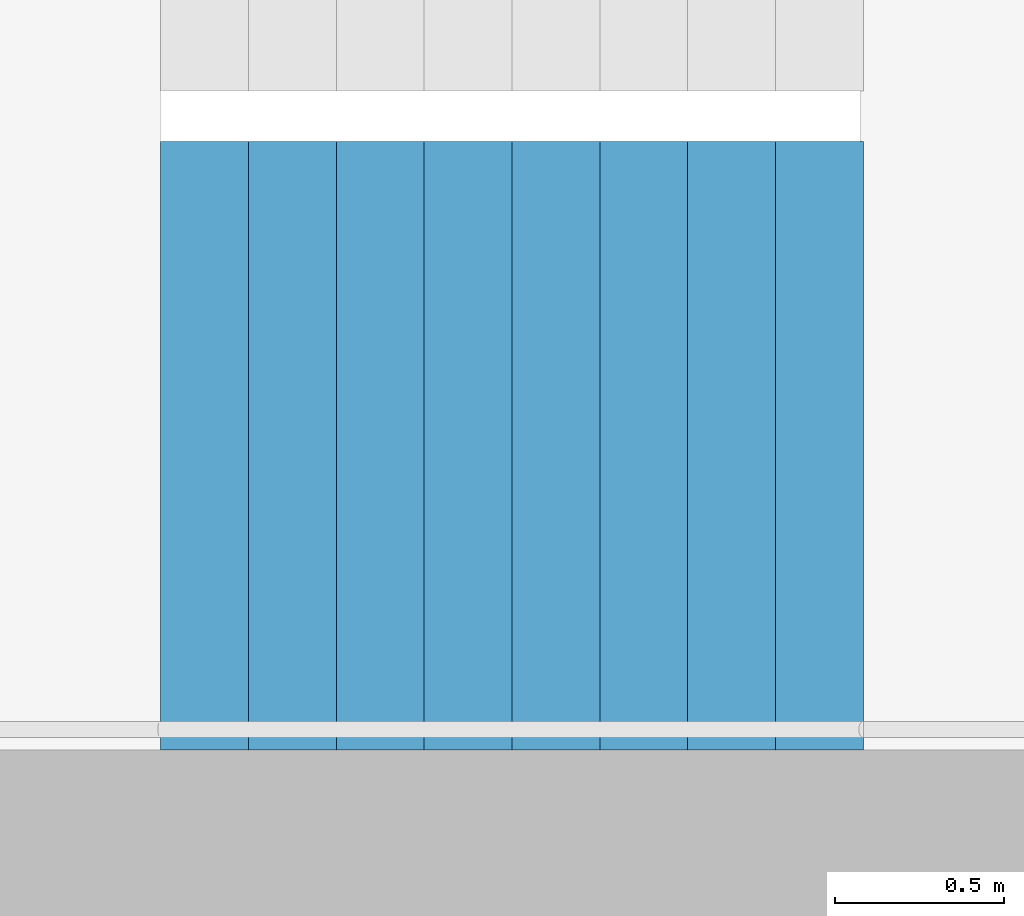
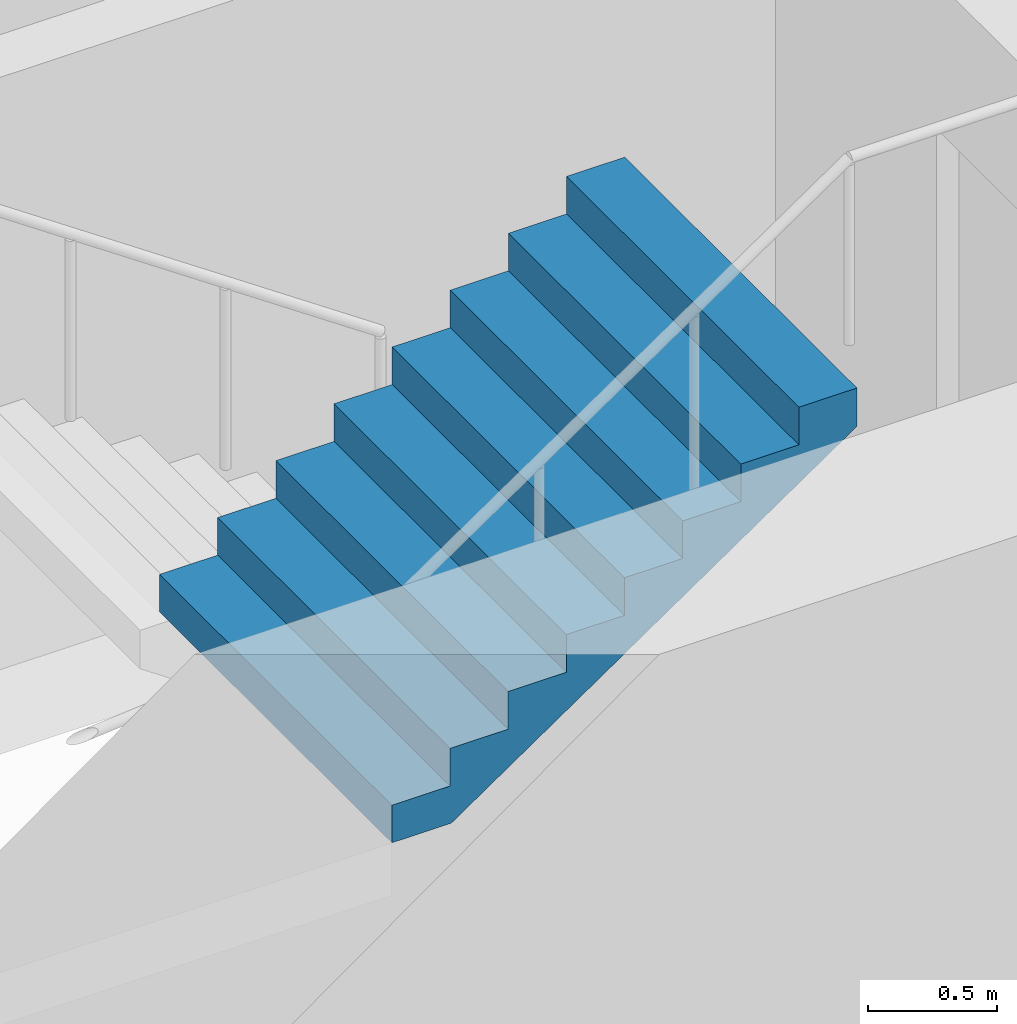
# One storey, part 20 of 34: 1 stair flight, 1 element without a shape of its own.
"""IFC4 building model written with IfcOpenShell, lengths in metres."""

from ifc_helpers import new_model, si_unit, direction, frame, origin, place, context, subcontext, project, spatial, triangles, material, type_object, element, aggregate, save


model = new_model("IFC4")

# Units and contexts
model_context = context("Model", 3, precision=1e-05, world=origin(), true_north=direction((0.0, 1.0)))
body_context = subcontext(model_context, "Body", "Model", "MODEL_VIEW")
ifc_project = project(units=[si_unit("LENGTHUNIT", "METRE"), si_unit("AREAUNIT", "SQUARE_METRE"), si_unit("VOLUMEUNIT", "CUBIC_METRE"), si_unit("PLANEANGLEUNIT", "RADIAN"), si_unit("MASSUNIT", "GRAM", prefix="KILO")], contexts=[model_context])

# Site, building, storey
site_placement = place(None, origin())
site = spatial("IfcSite", under=ifc_project, at=site_placement, CompositionType="ELEMENT")
building_placement = place(site_placement, origin())
building = spatial("IfcBuilding", under=site, at=building_placement, Name="Hakoniwa Tower and Hamabe Station Hall", CompositionType="ELEMENT")
storey_placement = place(building_placement, frame((0.0, 0.0, 107.39990234375)))
storey = spatial("IfcBuildingStorey", under=building, at=storey_placement, Name="L30", CompositionType="ELEMENT", Elevation=107.39990234375)

# Stair, stair flight
ifc_material_1 = material(Name="Concrete C40", Category="concrete")
stair_type = type_object("IfcStairType", Name="ESCAPE STAIR 1800", PredefinedType="HALF_TURN_STAIR", material=ifc_material_1)
stair_placement = place(storey_placement, origin())
stair = element("IfcStair", 1, at=stair_placement, inside=storey, type_object=stair_type, Name="Escape stair ST-2 L30", PredefinedType="HALF_TURN_STAIR")
ifc_material_2 = material(Name="Concrete C40", Category="concrete")
stair_flight_type = type_object("IfcStairFlightType", Name="STAIR FLIGHT 1800", PredefinedType="STRAIGHT", material=ifc_material_2)
stair_flight_placement = place(storey_placement, frame((-25.47998046875, -6.60009765625, 1.60009765625), z_axis=(0.0, 0.0, 1.0), x_axis=(1.0, 0.0, 0.0)))
stair_flight = element("IfcStairFlight", 2, at=stair_flight_placement, type_object=stair_flight_type, Name="ST-2 flight 2", NumberOfRisers=9, NumberOfTreads=8, PredefinedType="STRAIGHT", RiserHeight=0.177777778, TreadLength=0.26, context=body_context, shape_type="Tessellation", body=[
    triangles([(0.0, 0.89990234375, 0.0), (0.260009765625, 0.89990234375, 0.0), (0.265625, 0.89990234375, 0.0), (0.52001953125, 0.89990234375, 0.174072265625), (0.780029296875, 0.89990234375, 0.351806640625), (1.0400390625, 0.89990234375, 0.529541015625), (1.300048828125, 0.89990234375, 0.707275390625), (1.56005859375, 0.89990234375, 0.885009765625), (1.820068359375, 0.89990234375, 1.062744140625), (2.080078125, 0.89990234375, 1.24072265625), (2.080078125, 0.89990234375, 1.422119140625), (1.820068359375, 0.89990234375, 1.422119140625), (1.820068359375, 0.89990234375, 1.244384765625), (1.56005859375, 0.89990234375, 1.244384765625), (1.56005859375, 0.89990234375, 1.066650390625), (1.300048828125, 0.89990234375, 1.066650390625), (1.300048828125, 0.89990234375, 0.888916015625), (1.0400390625, 0.89990234375, 0.888916015625), (1.0400390625, 0.89990234375, 0.711181640625), (0.780029296875, 0.89990234375, 0.711181640625), (0.780029296875, 0.89990234375, 0.533447265625), (0.52001953125, 0.89990234375, 0.533447265625), (0.52001953125, 0.89990234375, 0.35546875), (0.265625, 0.89990234375, 0.35546875), (0.260009765625, 0.89990234375, 0.35546875), (0.260009765625, 0.89990234375, 0.177734375), (0.0, 0.89990234375, 0.177734375), (0.0, 0.06005859375, 0.0), (0.260009765625, 0.06005859375, 0.0), (0.265625, 0.06005859375, 0.0), (0.52001953125, 0.06005859375, 0.174072265625), (0.780029296875, 0.06005859375, 0.351806640625), (1.0400390625, 0.06005859375, 0.529541015625), (1.300048828125, 0.06005859375, 0.707275390625), (1.56005859375, 0.06005859375, 0.885009765625), (1.820068359375, 0.06005859375, 1.062744140625), (2.080078125, 0.06005859375, 1.24072265625), (2.080078125, 0.06005859375, 1.422119140625), (1.820068359375, 0.06005859375, 1.422119140625), (1.820068359375, 0.06005859375, 1.244384765625), (1.56005859375, 0.06005859375, 1.244384765625), (1.56005859375, 0.06005859375, 1.066650390625), (1.300048828125, 0.06005859375, 1.066650390625), (1.300048828125, 0.06005859375, 0.888916015625), (1.0400390625, 0.06005859375, 0.888916015625), (1.0400390625, 0.06005859375, 0.711181640625), (0.780029296875, 0.06005859375, 0.711181640625), (0.780029296875, 0.06005859375, 0.533447265625), (0.52001953125, 0.06005859375, 0.533447265625), (0.52001953125, 0.06005859375, 0.35546875), (0.265625, 0.06005859375, 0.35546875), (0.260009765625, 0.06005859375, 0.35546875), (0.260009765625, 0.06005859375, 0.177734375), (0.0, 0.06005859375, 0.177734375), (0.0, 0.04296875, 0.0), (0.260009765625, 0.04296875, 0.0), (0.265625, 0.04296875, 0.0), (0.52001953125, 0.04296875, 0.174072265625), (0.780029296875, 0.04296875, 0.351806640625), (1.0400390625, 0.04296875, 0.529541015625), (1.300048828125, 0.04296875, 0.707275390625), (1.56005859375, 0.04296875, 0.885009765625), (1.820068359375, 0.04296875, 1.062744140625), (2.080078125, 0.04296875, 1.24072265625), (2.080078125, 0.04296875, 1.422119140625), (1.820068359375, 0.04296875, 1.422119140625), (1.820068359375, 0.04296875, 1.244384765625), (1.56005859375, 0.04296875, 1.244384765625), (1.56005859375, 0.04296875, 1.066650390625), (1.300048828125, 0.04296875, 1.066650390625), (1.300048828125, 0.04296875, 0.888916015625), (1.0400390625, 0.04296875, 0.888916015625), (1.0400390625, 0.04296875, 0.711181640625), (0.780029296875, 0.04296875, 0.711181640625), (0.780029296875, 0.04296875, 0.533447265625), (0.52001953125, 0.04296875, 0.533447265625), (0.52001953125, 0.04296875, 0.35546875), (0.265625, 0.04296875, 0.35546875), (0.260009765625, 0.04296875, 0.35546875), (0.260009765625, 0.04296875, 0.177734375), (0.0, 0.04296875, 0.177734375), (0.0, 0.025634765625, 0.0), (0.260009765625, 0.025634765625, 0.0), (0.265625, 0.025634765625, 0.0), (0.52001953125, 0.025634765625, 0.174072265625), (0.780029296875, 0.025634765625, 0.351806640625), (1.0400390625, 0.025634765625, 0.529541015625), (1.300048828125, 0.025634765625, 0.707275390625), (1.56005859375, 0.025634765625, 0.885009765625), (1.820068359375, 0.025634765625, 1.062744140625), (2.080078125, 0.025634765625, 1.24072265625), (2.080078125, 0.025634765625, 1.422119140625), (1.820068359375, 0.025634765625, 1.422119140625), (1.820068359375, 0.025634765625, 1.244384765625), (1.56005859375, 0.025634765625, 1.244384765625), (1.56005859375, 0.025634765625, 1.066650390625), (1.300048828125, 0.025634765625, 1.066650390625), (1.300048828125, 0.025634765625, 0.888916015625), (1.0400390625, 0.025634765625, 0.888916015625), (1.0400390625, 0.025634765625, 0.711181640625), (0.780029296875, 0.025634765625, 0.711181640625), (0.780029296875, 0.025634765625, 0.533447265625), (0.52001953125, 0.025634765625, 0.533447265625), (0.52001953125, 0.025634765625, 0.35546875), (0.265625, 0.025634765625, 0.35546875), (0.260009765625, 0.025634765625, 0.35546875), (0.260009765625, 0.025634765625, 0.177734375), (0.0, 0.025634765625, 0.177734375), (0.0, 0.008544921875, 0.0), (0.260009765625, 0.008544921875, 0.0), (0.265625, 0.008544921875, 0.0), (0.52001953125, 0.008544921875, 0.174072265625), (0.780029296875, 0.008544921875, 0.351806640625), (1.0400390625, 0.008544921875, 0.529541015625), (1.300048828125, 0.008544921875, 0.707275390625), (1.56005859375, 0.008544921875, 0.885009765625), (1.820068359375, 0.008544921875, 1.062744140625), (2.080078125, 0.008544921875, 1.24072265625), (2.080078125, 0.008544921875, 1.422119140625), (1.820068359375, 0.008544921875, 1.422119140625), (1.820068359375, 0.008544921875, 1.244384765625), (1.56005859375, 0.008544921875, 1.244384765625), (1.56005859375, 0.008544921875, 1.066650390625), (1.300048828125, 0.008544921875, 1.066650390625), (1.300048828125, 0.008544921875, 0.888916015625), (1.0400390625, 0.008544921875, 0.888916015625), (1.0400390625, 0.008544921875, 0.711181640625), (0.780029296875, 0.008544921875, 0.711181640625), (0.780029296875, 0.008544921875, 0.533447265625), (0.52001953125, 0.008544921875, 0.533447265625), (0.52001953125, 0.008544921875, 0.35546875), (0.265625, 0.008544921875, 0.35546875), (0.260009765625, 0.008544921875, 0.35546875), (0.260009765625, 0.008544921875, 0.177734375), (0.0, 0.008544921875, 0.177734375), (0.0, -0.008544921875, 0.0), (0.260009765625, -0.008544921875, 0.0), (0.265625, -0.008544921875, 0.0), (0.52001953125, -0.008544921875, 0.174072265625), (0.780029296875, -0.008544921875, 0.351806640625), (1.0400390625, -0.008544921875, 0.529541015625), (1.300048828125, -0.008544921875, 0.707275390625), (1.56005859375, -0.008544921875, 0.885009765625), (1.820068359375, -0.008544921875, 1.062744140625), (2.080078125, -0.008544921875, 1.24072265625), (2.080078125, -0.008544921875, 1.422119140625), (1.820068359375, -0.008544921875, 1.422119140625), (1.820068359375, -0.008544921875, 1.244384765625), (1.56005859375, -0.008544921875, 1.244384765625), (1.56005859375, -0.008544921875, 1.066650390625), (1.300048828125, -0.008544921875, 1.066650390625), (1.300048828125, -0.008544921875, 0.888916015625), (1.0400390625, -0.008544921875, 0.888916015625), (1.0400390625, -0.008544921875, 0.711181640625), (0.780029296875, -0.008544921875, 0.711181640625), (0.780029296875, -0.008544921875, 0.533447265625), (0.52001953125, -0.008544921875, 0.533447265625), (0.52001953125, -0.008544921875, 0.35546875), (0.265625, -0.008544921875, 0.35546875), (0.260009765625, -0.008544921875, 0.35546875), (0.260009765625, -0.008544921875, 0.177734375), (0.0, -0.008544921875, 0.177734375), (0.0, -0.025634765625, 0.0), (0.260009765625, -0.025634765625, 0.0), (0.265625, -0.025634765625, 0.0), (0.52001953125, -0.025634765625, 0.174072265625), (0.780029296875, -0.025634765625, 0.351806640625), (1.0400390625, -0.025634765625, 0.529541015625), (1.300048828125, -0.025634765625, 0.707275390625), (1.56005859375, -0.025634765625, 0.885009765625), (1.820068359375, -0.025634765625, 1.062744140625), (2.080078125, -0.025634765625, 1.24072265625), (2.080078125, -0.025634765625, 1.422119140625), (1.820068359375, -0.025634765625, 1.422119140625), (1.820068359375, -0.025634765625, 1.244384765625), (1.56005859375, -0.025634765625, 1.244384765625), (1.56005859375, -0.025634765625, 1.066650390625), (1.300048828125, -0.025634765625, 1.066650390625), (1.300048828125, -0.025634765625, 0.888916015625), (1.0400390625, -0.025634765625, 0.888916015625), (1.0400390625, -0.025634765625, 0.711181640625), (0.780029296875, -0.025634765625, 0.711181640625), (0.780029296875, -0.025634765625, 0.533447265625), (0.52001953125, -0.025634765625, 0.533447265625), (0.52001953125, -0.025634765625, 0.35546875), (0.265625, -0.025634765625, 0.35546875), (0.260009765625, -0.025634765625, 0.35546875), (0.260009765625, -0.025634765625, 0.177734375), (0.0, -0.025634765625, 0.177734375), (0.0, -0.04296875, 0.0), (0.260009765625, -0.04296875, 0.0), (0.265625, -0.04296875, 0.0), (0.52001953125, -0.04296875, 0.174072265625), (0.780029296875, -0.04296875, 0.351806640625), (1.0400390625, -0.04296875, 0.529541015625), (1.300048828125, -0.04296875, 0.707275390625), (1.56005859375, -0.04296875, 0.885009765625), (1.820068359375, -0.04296875, 1.062744140625), (2.080078125, -0.04296875, 1.24072265625), (2.080078125, -0.04296875, 1.422119140625), (1.820068359375, -0.04296875, 1.422119140625), (1.820068359375, -0.04296875, 1.244384765625), (1.56005859375, -0.04296875, 1.244384765625), (1.56005859375, -0.04296875, 1.066650390625), (1.300048828125, -0.04296875, 1.066650390625), (1.300048828125, -0.04296875, 0.888916015625), (1.0400390625, -0.04296875, 0.888916015625), (1.0400390625, -0.04296875, 0.711181640625), (0.780029296875, -0.04296875, 0.711181640625), (0.780029296875, -0.04296875, 0.533447265625), (0.52001953125, -0.04296875, 0.533447265625), (0.52001953125, -0.04296875, 0.35546875), (0.265625, -0.04296875, 0.35546875), (0.260009765625, -0.04296875, 0.35546875), (0.260009765625, -0.04296875, 0.177734375), (0.0, -0.04296875, 0.177734375), (0.0, -0.06005859375, 0.0), (0.260009765625, -0.06005859375, 0.0), (0.265625, -0.06005859375, 0.0), (0.52001953125, -0.06005859375, 0.174072265625), (0.780029296875, -0.06005859375, 0.351806640625), (1.0400390625, -0.06005859375, 0.529541015625), (1.300048828125, -0.06005859375, 0.707275390625), (1.56005859375, -0.06005859375, 0.885009765625), (1.820068359375, -0.06005859375, 1.062744140625), (2.080078125, -0.06005859375, 1.24072265625), (2.080078125, -0.06005859375, 1.422119140625), (1.820068359375, -0.06005859375, 1.422119140625), (1.820068359375, -0.06005859375, 1.244384765625), (1.56005859375, -0.06005859375, 1.244384765625), (1.56005859375, -0.06005859375, 1.066650390625), (1.300048828125, -0.06005859375, 1.066650390625), (1.300048828125, -0.06005859375, 0.888916015625), (1.0400390625, -0.06005859375, 0.888916015625), (1.0400390625, -0.06005859375, 0.711181640625), (0.780029296875, -0.06005859375, 0.711181640625), (0.780029296875, -0.06005859375, 0.533447265625), (0.52001953125, -0.06005859375, 0.533447265625), (0.52001953125, -0.06005859375, 0.35546875), (0.265625, -0.06005859375, 0.35546875), (0.260009765625, -0.06005859375, 0.35546875), (0.260009765625, -0.06005859375, 0.177734375), (0.0, -0.06005859375, 0.177734375), (0.0, -0.89990234375, 0.0), (0.260009765625, -0.89990234375, 0.0), (0.265625, -0.89990234375, 0.0), (0.52001953125, -0.89990234375, 0.174072265625), (0.780029296875, -0.89990234375, 0.351806640625), (1.0400390625, -0.89990234375, 0.529541015625), (1.300048828125, -0.89990234375, 0.707275390625), (1.56005859375, -0.89990234375, 0.885009765625), (1.820068359375, -0.89990234375, 1.062744140625), (2.080078125, -0.89990234375, 1.24072265625), (2.080078125, -0.89990234375, 1.422119140625), (1.820068359375, -0.89990234375, 1.422119140625), (1.820068359375, -0.89990234375, 1.244384765625), (1.56005859375, -0.89990234375, 1.244384765625), (1.56005859375, -0.89990234375, 1.066650390625), (1.300048828125, -0.89990234375, 1.066650390625), (1.300048828125, -0.89990234375, 0.888916015625), (1.0400390625, -0.89990234375, 0.888916015625), (1.0400390625, -0.89990234375, 0.711181640625), (0.780029296875, -0.89990234375, 0.711181640625), (0.780029296875, -0.89990234375, 0.533447265625), (0.52001953125, -0.89990234375, 0.533447265625), (0.52001953125, -0.89990234375, 0.35546875), (0.265625, -0.89990234375, 0.35546875), (0.260009765625, -0.89990234375, 0.35546875), (0.260009765625, -0.89990234375, 0.177734375), (0.0, -0.89990234375, 0.177734375)], [[2, 27, 26], [245, 269, 270], [2, 1, 27], [245, 270, 244], [3, 25, 24], [246, 267, 268], [3, 26, 25], [246, 268, 269], [3, 2, 26], [246, 269, 245], [4, 24, 23], [247, 266, 267], [4, 3, 24], [247, 267, 246], [5, 22, 21], [248, 264, 265], [5, 23, 22], [248, 265, 266], [5, 4, 23], [248, 266, 247], [6, 20, 19], [249, 262, 263], [6, 21, 20], [249, 263, 264], [6, 5, 21], [249, 264, 248], [7, 18, 17], [250, 260, 261], [7, 19, 18], [250, 261, 262], [7, 6, 19], [250, 262, 249], [8, 16, 15], [251, 258, 259], [8, 17, 16], [251, 259, 260], [8, 7, 17], [251, 260, 250], [9, 14, 13], [252, 256, 257], [9, 15, 14], [252, 257, 258], [9, 8, 15], [252, 258, 251], [10, 12, 11], [253, 254, 255], [10, 13, 12], [253, 255, 256], [10, 9, 13], [253, 256, 252], [1, 2, 29], [1, 29, 28], [28, 29, 56], [28, 56, 55], [55, 56, 83], [55, 83, 82], [82, 83, 110], [82, 110, 109], [109, 110, 137], [109, 137, 136], [136, 137, 164], [136, 164, 163], [163, 164, 191], [163, 191, 190], [190, 191, 218], [190, 218, 217], [217, 218, 245], [217, 245, 244], [2, 3, 30], [2, 30, 29], [29, 30, 57], [29, 57, 56], [56, 57, 84], [56, 84, 83], [83, 84, 111], [83, 111, 110], [110, 111, 138], [110, 138, 137], [137, 138, 165], [137, 165, 164], [164, 165, 192], [164, 192, 191], [191, 192, 219], [191, 219, 218], [218, 219, 246], [218, 246, 245], [3, 4, 31], [3, 31, 30], [30, 31, 58], [30, 58, 57], [57, 58, 85], [57, 85, 84], [84, 85, 112], [84, 112, 111], [111, 112, 139], [111, 139, 138], [138, 139, 166], [138, 166, 165], [165, 166, 193], [165, 193, 192], [192, 193, 220], [192, 220, 219], [219, 220, 247], [219, 247, 246], [4, 5, 32], [4, 32, 31], [31, 32, 59], [31, 59, 58], [58, 59, 86], [58, 86, 85], [85, 86, 113], [85, 113, 112], [112, 113, 140], [112, 140, 139], [139, 140, 167], [139, 167, 166], [166, 167, 194], [166, 194, 193], [193, 194, 221], [193, 221, 220], [220, 221, 248], [220, 248, 247], [5, 6, 33], [5, 33, 32], [32, 33, 60], [32, 60, 59], [59, 60, 87], [59, 87, 86], [86, 87, 114], [86, 114, 113], [113, 114, 141], [113, 141, 140], [140, 141, 168], [140, 168, 167], [167, 168, 195], [167, 195, 194], [194, 195, 222], [194, 222, 221], [221, 222, 249], [221, 249, 248], [6, 7, 34], [6, 34, 33], [33, 34, 61], [33, 61, 60], [60, 61, 88], [60, 88, 87], [87, 88, 115], [87, 115, 114], [114, 115, 142], [114, 142, 141], [141, 142, 169], [141, 169, 168], [168, 169, 196], [168, 196, 195], [195, 196, 223], [195, 223, 222], [222, 223, 250], [222, 250, 249], [7, 8, 35], [7, 35, 34], [34, 35, 62], [34, 62, 61], [61, 62, 89], [61, 89, 88], [88, 89, 116], [88, 116, 115], [115, 116, 143], [115, 143, 142], [142, 143, 170], [142, 170, 169], [169, 170, 197], [169, 197, 196], [196, 197, 224], [196, 224, 223], [223, 224, 251], [223, 251, 250], [8, 9, 36], [8, 36, 35], [35, 36, 63], [35, 63, 62], [62, 63, 90], [62, 90, 89], [89, 90, 117], [89, 117, 116], [116, 117, 144], [116, 144, 143], [143, 144, 171], [143, 171, 170], [170, 171, 198], [170, 198, 197], [197, 198, 225], [197, 225, 224], [224, 225, 252], [224, 252, 251], [9, 10, 37], [9, 37, 36], [36, 37, 64], [36, 64, 63], [63, 64, 91], [63, 91, 90], [90, 91, 118], [90, 118, 117], [117, 118, 145], [117, 145, 144], [144, 145, 172], [144, 172, 171], [171, 172, 199], [171, 199, 198], [198, 199, 226], [198, 226, 225], [225, 226, 253], [225, 253, 252], [10, 11, 38], [10, 38, 37], [37, 38, 65], [37, 65, 64], [64, 65, 92], [64, 92, 91], [91, 92, 119], [91, 119, 118], [118, 119, 146], [118, 146, 145], [145, 146, 173], [145, 173, 172], [172, 173, 200], [172, 200, 199], [199, 200, 227], [199, 227, 226], [226, 227, 254], [226, 254, 253], [11, 12, 39], [11, 39, 38], [38, 39, 66], [38, 66, 65], [65, 66, 93], [65, 93, 92], [92, 93, 120], [92, 120, 119], [119, 120, 147], [119, 147, 146], [146, 147, 174], [146, 174, 173], [173, 174, 201], [173, 201, 200], [200, 201, 228], [200, 228, 227], [227, 228, 255], [227, 255, 254], [12, 13, 40], [12, 40, 39], [39, 40, 67], [39, 67, 66], [66, 67, 94], [66, 94, 93], [93, 94, 121], [93, 121, 120], [120, 121, 148], [120, 148, 147], [147, 148, 175], [147, 175, 174], [174, 175, 202], [174, 202, 201], [201, 202, 229], [201, 229, 228], [228, 229, 256], [228, 256, 255], [13, 14, 41], [13, 41, 40], [40, 41, 68], [40, 68, 67], [67, 68, 95], [67, 95, 94], [94, 95, 122], [94, 122, 121], [121, 122, 149], [121, 149, 148], [148, 149, 176], [148, 176, 175], [175, 176, 203], [175, 203, 202], [202, 203, 230], [202, 230, 229], [229, 230, 257], [229, 257, 256], [14, 15, 42], [14, 42, 41], [41, 42, 69], [41, 69, 68], [68, 69, 96], [68, 96, 95], [95, 96, 123], [95, 123, 122], [122, 123, 150], [122, 150, 149], [149, 150, 177], [149, 177, 176], [176, 177, 204], [176, 204, 203], [203, 204, 231], [203, 231, 230], [230, 231, 258], [230, 258, 257], [15, 16, 43], [15, 43, 42], [42, 43, 70], [42, 70, 69], [69, 70, 97], [69, 97, 96], [96, 97, 124], [96, 124, 123], [123, 124, 151], [123, 151, 150], [150, 151, 178], [150, 178, 177], [177, 178, 205], [177, 205, 204], [204, 205, 232], [204, 232, 231], [231, 232, 259], [231, 259, 258], [16, 17, 44], [16, 44, 43], [43, 44, 71], [43, 71, 70], [70, 71, 98], [70, 98, 97], [97, 98, 125], [97, 125, 124], [124, 125, 152], [124, 152, 151], [151, 152, 179], [151, 179, 178], [178, 179, 206], [178, 206, 205], [205, 206, 233], [205, 233, 232], [232, 233, 260], [232, 260, 259], [17, 18, 45], [17, 45, 44], [44, 45, 72], [44, 72, 71], [71, 72, 99], [71, 99, 98], [98, 99, 126], [98, 126, 125], [125, 126, 153], [125, 153, 152], [152, 153, 180], [152, 180, 179], [179, 180, 207], [179, 207, 206], [206, 207, 234], [206, 234, 233], [233, 234, 261], [233, 261, 260], [18, 19, 46], [18, 46, 45], [45, 46, 73], [45, 73, 72], [72, 73, 100], [72, 100, 99], [99, 100, 127], [99, 127, 126], [126, 127, 154], [126, 154, 153], [153, 154, 181], [153, 181, 180], [180, 181, 208], [180, 208, 207], [207, 208, 235], [207, 235, 234], [234, 235, 262], [234, 262, 261], [19, 20, 47], [19, 47, 46], [46, 47, 74], [46, 74, 73], [73, 74, 101], [73, 101, 100], [100, 101, 128], [100, 128, 127], [127, 128, 155], [127, 155, 154], [154, 155, 182], [154, 182, 181], [181, 182, 209], [181, 209, 208], [208, 209, 236], [208, 236, 235], [235, 236, 263], [235, 263, 262], [20, 21, 48], [20, 48, 47], [47, 48, 75], [47, 75, 74], [74, 75, 102], [74, 102, 101], [101, 102, 129], [101, 129, 128], [128, 129, 156], [128, 156, 155], [155, 156, 183], [155, 183, 182], [182, 183, 210], [182, 210, 209], [209, 210, 237], [209, 237, 236], [236, 237, 264], [236, 264, 263], [21, 22, 49], [21, 49, 48], [48, 49, 76], [48, 76, 75], [75, 76, 103], [75, 103, 102], [102, 103, 130], [102, 130, 129], [129, 130, 157], [129, 157, 156], [156, 157, 184], [156, 184, 183], [183, 184, 211], [183, 211, 210], [210, 211, 238], [210, 238, 237], [237, 238, 265], [237, 265, 264], [22, 23, 50], [22, 50, 49], [49, 50, 77], [49, 77, 76], [76, 77, 104], [76, 104, 103], [103, 104, 131], [103, 131, 130], [130, 131, 158], [130, 158, 157], [157, 158, 185], [157, 185, 184], [184, 185, 212], [184, 212, 211], [211, 212, 239], [211, 239, 238], [238, 239, 266], [238, 266, 265], [23, 24, 51], [23, 51, 50], [50, 51, 78], [50, 78, 77], [77, 78, 105], [77, 105, 104], [104, 105, 132], [104, 132, 131], [131, 132, 159], [131, 159, 158], [158, 159, 186], [158, 186, 185], [185, 186, 213], [185, 213, 212], [212, 213, 240], [212, 240, 239], [239, 240, 267], [239, 267, 266], [24, 25, 52], [24, 52, 51], [51, 52, 79], [51, 79, 78], [78, 79, 106], [78, 106, 105], [105, 106, 133], [105, 133, 132], [132, 133, 160], [132, 160, 159], [159, 160, 187], [159, 187, 186], [186, 187, 214], [186, 214, 213], [213, 214, 241], [213, 241, 240], [240, 241, 268], [240, 268, 267], [25, 26, 53], [25, 53, 52], [52, 53, 80], [52, 80, 79], [79, 80, 107], [79, 107, 106], [106, 107, 134], [106, 134, 133], [133, 134, 161], [133, 161, 160], [160, 161, 188], [160, 188, 187], [187, 188, 215], [187, 215, 214], [214, 215, 242], [214, 242, 241], [241, 242, 269], [241, 269, 268], [26, 27, 54], [26, 54, 53], [53, 54, 81], [53, 81, 80], [80, 81, 108], [80, 108, 107], [107, 108, 135], [107, 135, 134], [134, 135, 162], [134, 162, 161], [161, 162, 189], [161, 189, 188], [188, 189, 216], [188, 216, 215], [215, 216, 243], [215, 243, 242], [242, 243, 270], [242, 270, 269], [27, 1, 28], [27, 28, 54], [54, 28, 55], [54, 55, 81], [81, 55, 82], [81, 82, 108], [108, 82, 109], [108, 109, 135], [135, 109, 136], [135, 136, 162], [162, 136, 163], [162, 163, 189], [189, 163, 190], [189, 190, 216], [216, 190, 217], [216, 217, 243], [243, 217, 244], [243, 244, 270]], closed=True),
])
aggregate(stair, [stair_flight])

save(model, "model.ifc")
